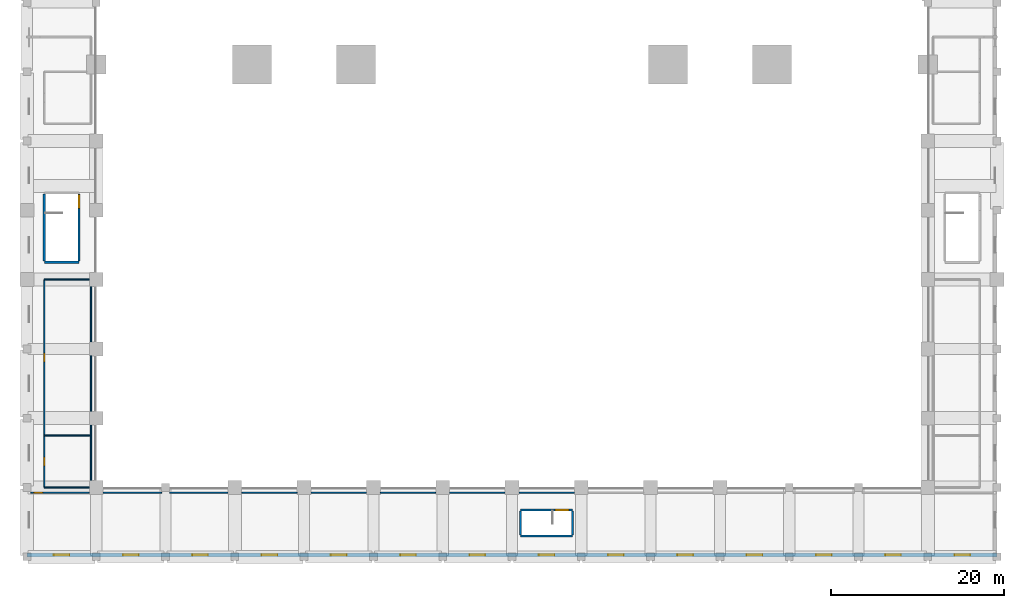
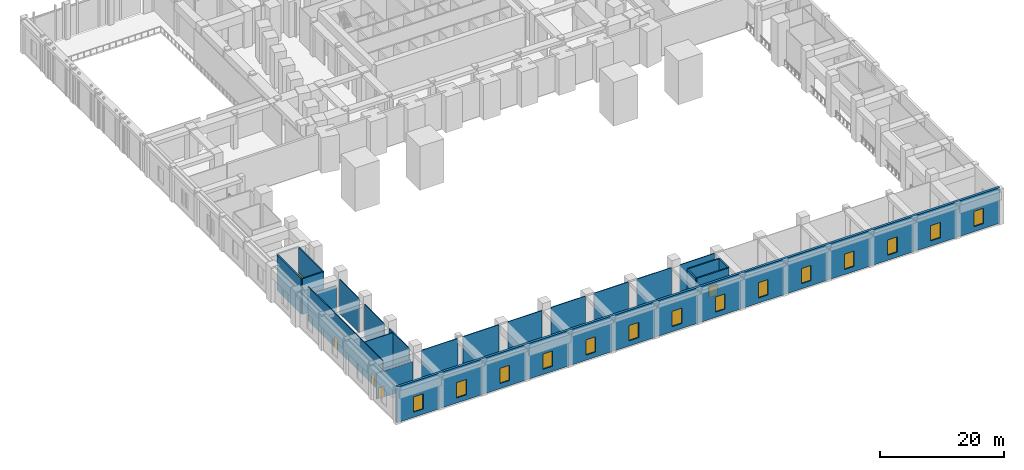
# One storey, part 5 of 18: 23 walls, 14 windows, 5 doors, 19 openings.
"""IFC4 building model written with IfcOpenShell, lengths in metres."""

from ifc_helpers import new_model, si_unit, direction, frame, frame_2d, origin, place, context, subcontext, project, spatial, rectangle, extrude, material, layer, layer_set, type_object, element, fill, save


model = new_model("IFC4")

# Units and contexts
model_context = context("Model", 3, precision=1e-05, world=origin(), true_north=direction((0.0, 1.0)))
body_context = subcontext(model_context, "Body", "Model", "MODEL_VIEW")
ifc_project = project(units=[si_unit("LENGTHUNIT", "METRE"), si_unit("AREAUNIT", "SQUARE_METRE"), si_unit("VOLUMEUNIT", "CUBIC_METRE"), si_unit("PLANEANGLEUNIT", "RADIAN"), si_unit("MASSUNIT", "GRAM", prefix="KILO")], contexts=[model_context])

# Site, building, storey
site_placement = place(None, origin())
site = spatial("IfcSite", under=ifc_project, at=site_placement, CompositionType="ELEMENT")
building_placement = place(site_placement, origin())
building = spatial("IfcBuilding", under=site, at=building_placement, Name="Isbrekke Arena Tower", CompositionType="ELEMENT")
storey_placement = place(building_placement, frame((0.0, 0.0, 12.0)))
storey = spatial("IfcBuildingStorey", under=building, at=storey_placement, Name="L02", CompositionType="ELEMENT", Elevation=12.0)

# Wall, openings, windows
ifc_material_1 = material(Name="Pale brick facing on concrete backing wall", Category="masonry")
ifc_layer_1 = layer(ifc_material_1, 0.449951171875)
ifc_layer_set_1 = layer_set([ifc_layer_1], Name="EW1 PODIUM BRICK WALL 450")
wall_type_1 = type_object("IfcWallType", Name="EW1 PODIUM BRICK WALL 450", PredefinedType="SOLIDWALL", material=ifc_layer_set_1)
wall_1_placement = place(storey_placement, frame((-56.0, -73.77490234375, 0.0), z_axis=(0.0, 0.0, 1.0), x_axis=(1.0, 0.0, 0.0)))
wall_1 = element("IfcWall", 1, at=wall_1_placement, inside=storey, type_object=wall_type_1, Name="EW1 podium wall S L02", PredefinedType="SOLIDWALL", context=body_context, shape_type="SweptSolid", body=[
    extrude(rectangle(XDim=112.0, YDim=0.449951171875, at=frame_2d((56.0, 0.0))), origin(), (0.0, 0.0, 1.0), 7.0),
])
opening_1_placement = place(wall_1_placement, frame((3.10009765625, 0.0, 1.0)))
opening_1 = element("IfcOpeningElement", 2, at=opening_1_placement, cuts=wall_1, Name="Opening WN2", PredefinedType="OPENING", context=body_context, shape_type="SweptSolid", body=[
    extrude(rectangle(XDim=1.800048828125, YDim=3.0, at=frame_2d((0.89990234375, 1.5))), frame((0.0, 0.23974609375, 0.0), z_axis=(0.0, -1.0, 0.0), x_axis=(1.0, 0.0, 0.0)), (0.0, 0.0, 1.0), 0.479736328125),
])
opening_2_placement = place(wall_1_placement, frame((11.10009765625, 0.0, 1.0)))
opening_2 = element("IfcOpeningElement", 3, at=opening_2_placement, cuts=wall_1, Name="Opening WN2", PredefinedType="OPENING", context=body_context, shape_type="SweptSolid", body=[
    extrude(rectangle(XDim=1.800048828125, YDim=3.0, at=frame_2d((0.89990234375, 1.5))), frame((0.0, 0.23974609375, 0.0), z_axis=(0.0, -1.0, 0.0), x_axis=(1.0, 0.0, 0.0)), (0.0, 0.0, 1.0), 0.479736328125),
])
opening_3_placement = place(wall_1_placement, frame((19.10009765625, 0.0, 1.0)))
opening_3 = element("IfcOpeningElement", 4, at=opening_3_placement, cuts=wall_1, Name="Opening WN2", PredefinedType="OPENING", context=body_context, shape_type="SweptSolid", body=[
    extrude(rectangle(XDim=1.800048828125, YDim=3.0, at=frame_2d((0.89990234375, 1.5))), frame((0.0, 0.23974609375, 0.0), z_axis=(0.0, -1.0, 0.0), x_axis=(1.0, 0.0, 0.0)), (0.0, 0.0, 1.0), 0.479736328125),
])
opening_4_placement = place(wall_1_placement, frame((27.10009765625, 0.0, 1.0)))
opening_4 = element("IfcOpeningElement", 5, at=opening_4_placement, cuts=wall_1, Name="Opening WN2", PredefinedType="OPENING", context=body_context, shape_type="SweptSolid", body=[
    extrude(rectangle(XDim=1.800048828125, YDim=3.0, at=frame_2d((0.89990234375, 1.5))), frame((0.0, 0.23974609375, 0.0), z_axis=(0.0, -1.0, 0.0), x_axis=(1.0, 0.0, 0.0)), (0.0, 0.0, 1.0), 0.479736328125),
])
opening_5_placement = place(wall_1_placement, frame((35.10009765625, 0.0, 1.0)))
opening_5 = element("IfcOpeningElement", 6, at=opening_5_placement, cuts=wall_1, Name="Opening WN2", PredefinedType="OPENING", context=body_context, shape_type="SweptSolid", body=[
    extrude(rectangle(XDim=1.800048828125, YDim=3.0, at=frame_2d((0.89990234375, 1.5))), frame((0.0, 0.23974609375, 0.0), z_axis=(0.0, -1.0, 0.0), x_axis=(1.0, 0.0, 0.0)), (0.0, 0.0, 1.0), 0.479736328125),
])
opening_6_placement = place(wall_1_placement, frame((43.10009765625, 0.0, 1.0)))
opening_6 = element("IfcOpeningElement", 7, at=opening_6_placement, cuts=wall_1, Name="Opening WN2", PredefinedType="OPENING", context=body_context, shape_type="SweptSolid", body=[
    extrude(rectangle(XDim=1.800048828125, YDim=3.0, at=frame_2d((0.89990234375, 1.5))), frame((0.0, 0.23974609375, 0.0), z_axis=(0.0, -1.0, 0.0), x_axis=(1.0, 0.0, 0.0)), (0.0, 0.0, 1.0), 0.479736328125),
])
opening_7_placement = place(wall_1_placement, frame((51.10009765625, 0.0, 1.0)))
opening_7 = element("IfcOpeningElement", 8, at=opening_7_placement, cuts=wall_1, Name="Opening WN2", PredefinedType="OPENING", context=body_context, shape_type="SweptSolid", body=[
    extrude(rectangle(XDim=1.800048828125, YDim=3.0, at=frame_2d((0.89990234375, 1.5))), frame((0.0, 0.23974609375, 0.0), z_axis=(0.0, -1.0, 0.0), x_axis=(1.0, 0.0, 0.0)), (0.0, 0.0, 1.0), 0.479736328125),
])
opening_8_placement = place(wall_1_placement, frame((59.10009765625, 0.0, 1.0)))
opening_8 = element("IfcOpeningElement", 9, at=opening_8_placement, cuts=wall_1, Name="Opening WN2", PredefinedType="OPENING", context=body_context, shape_type="SweptSolid", body=[
    extrude(rectangle(XDim=1.800048828125, YDim=3.0, at=frame_2d((0.89990234375, 1.5))), frame((0.0, 0.23974609375, 0.0), z_axis=(0.0, -1.0, 0.0), x_axis=(1.0, 0.0, 0.0)), (0.0, 0.0, 1.0), 0.479736328125),
])
opening_9_placement = place(wall_1_placement, frame((67.10009765625, 0.0, 1.0)))
opening_9 = element("IfcOpeningElement", 10, at=opening_9_placement, cuts=wall_1, Name="Opening WN2", PredefinedType="OPENING", context=body_context, shape_type="SweptSolid", body=[
    extrude(rectangle(XDim=1.800048828125, YDim=3.0, at=frame_2d((0.89990234375, 1.5))), frame((0.0, 0.23974609375, 0.0), z_axis=(0.0, -1.0, 0.0), x_axis=(1.0, 0.0, 0.0)), (0.0, 0.0, 1.0), 0.479736328125),
])
opening_10_placement = place(wall_1_placement, frame((75.10009765625, 0.0, 1.0)))
opening_10 = element("IfcOpeningElement", 11, at=opening_10_placement, cuts=wall_1, Name="Opening WN2", PredefinedType="OPENING", context=body_context, shape_type="SweptSolid", body=[
    extrude(rectangle(XDim=1.800048828125, YDim=3.0, at=frame_2d((0.89990234375, 1.5))), frame((0.0, 0.23974609375, 0.0), z_axis=(0.0, -1.0, 0.0), x_axis=(1.0, 0.0, 0.0)), (0.0, 0.0, 1.0), 0.479736328125),
])
opening_11_placement = place(wall_1_placement, frame((83.10009765625, 0.0, 1.0)))
opening_11 = element("IfcOpeningElement", 12, at=opening_11_placement, cuts=wall_1, Name="Opening WN2", PredefinedType="OPENING", context=body_context, shape_type="SweptSolid", body=[
    extrude(rectangle(XDim=1.800048828125, YDim=3.0, at=frame_2d((0.89990234375, 1.5))), frame((0.0, 0.23974609375, 0.0), z_axis=(0.0, -1.0, 0.0), x_axis=(1.0, 0.0, 0.0)), (0.0, 0.0, 1.0), 0.479736328125),
])
opening_12_placement = place(wall_1_placement, frame((91.10009765625, 0.0, 1.0)))
opening_12 = element("IfcOpeningElement", 13, at=opening_12_placement, cuts=wall_1, Name="Opening WN2", PredefinedType="OPENING", context=body_context, shape_type="SweptSolid", body=[
    extrude(rectangle(XDim=1.800048828125, YDim=3.0, at=frame_2d((0.89990234375, 1.5))), frame((0.0, 0.23974609375, 0.0), z_axis=(0.0, -1.0, 0.0), x_axis=(1.0, 0.0, 0.0)), (0.0, 0.0, 1.0), 0.479736328125),
])
opening_13_placement = place(wall_1_placement, frame((99.10009765625, 0.0, 1.0)))
opening_13 = element("IfcOpeningElement", 14, at=opening_13_placement, cuts=wall_1, Name="Opening WN2", PredefinedType="OPENING", context=body_context, shape_type="SweptSolid", body=[
    extrude(rectangle(XDim=1.800048828125, YDim=3.0, at=frame_2d((0.89990234375, 1.5))), frame((0.0, 0.23974609375, 0.0), z_axis=(0.0, -1.0, 0.0), x_axis=(1.0, 0.0, 0.0)), (0.0, 0.0, 1.0), 0.479736328125),
])
opening_14_placement = place(wall_1_placement, frame((107.10009765625, 0.0, 1.0)))
opening_14 = element("IfcOpeningElement", 15, at=opening_14_placement, cuts=wall_1, Name="Opening WN2", PredefinedType="OPENING", context=body_context, shape_type="SweptSolid", body=[
    extrude(rectangle(XDim=1.800048828125, YDim=3.0, at=frame_2d((0.89990234375, 1.5))), frame((0.0, 0.23974609375, 0.0), z_axis=(0.0, -1.0, 0.0), x_axis=(1.0, 0.0, 0.0)), (0.0, 0.0, 1.0), 0.479736328125),
])
ifc_material_2 = material(Name="Timber-aluminium window, triple glazed", Category="wood")
window_type = type_object("IfcWindowType", Name="WN2 PODIUM WINDOW 1800 x 3000", PartitioningType="SINGLE_PANEL", PredefinedType="WINDOW", material=ifc_material_2)
window_1_placement = place(opening_1_placement, origin())
window_1 = element("IfcWindow", 16, at=window_1_placement, inside=storey, type_object=window_type, Name="WN2 podium window S-1", OverallHeight=3.0, OverallWidth=1.800048828125, PartitioningType="SINGLE_PANEL", PredefinedType="WINDOW", context=body_context, shape_type="SweptSolid", body=[
    extrude(rectangle(XDim=1.800048828125, YDim=3.0, at=frame_2d((0.89990234375, 1.5))), frame((0.0, 0.030029296875, 0.0), z_axis=(0.0, -1.0, 0.0), x_axis=(1.0, 0.0, 0.0)), (0.0, 0.0, 1.0), 0.06005859375),
])
fill(opening_1, window_1)
window_2_placement = place(opening_2_placement, origin())
window_2 = element("IfcWindow", 17, at=window_2_placement, inside=storey, type_object=window_type, Name="WN2 podium window S-2", OverallHeight=3.0, OverallWidth=1.800048828125, PartitioningType="SINGLE_PANEL", PredefinedType="WINDOW", context=body_context, shape_type="SweptSolid", body=[
    extrude(rectangle(XDim=1.800048828125, YDim=3.0, at=frame_2d((0.89990234375, 1.5))), frame((0.0, 0.030029296875, 0.0), z_axis=(0.0, -1.0, 0.0), x_axis=(1.0, 0.0, 0.0)), (0.0, 0.0, 1.0), 0.06005859375),
])
fill(opening_2, window_2)
window_3_placement = place(opening_3_placement, origin())
window_3 = element("IfcWindow", 18, at=window_3_placement, inside=storey, type_object=window_type, Name="WN2 podium window S-3", OverallHeight=3.0, OverallWidth=1.800048828125, PartitioningType="SINGLE_PANEL", PredefinedType="WINDOW", context=body_context, shape_type="SweptSolid", body=[
    extrude(rectangle(XDim=1.800048828125, YDim=3.0, at=frame_2d((0.89990234375, 1.5))), frame((0.0, 0.030029296875, 0.0), z_axis=(0.0, -1.0, 0.0), x_axis=(1.0, 0.0, 0.0)), (0.0, 0.0, 1.0), 0.06005859375),
])
fill(opening_3, window_3)
window_4_placement = place(opening_4_placement, origin())
window_4 = element("IfcWindow", 19, at=window_4_placement, inside=storey, type_object=window_type, Name="WN2 podium window S-4", OverallHeight=3.0, OverallWidth=1.800048828125, PartitioningType="SINGLE_PANEL", PredefinedType="WINDOW", context=body_context, shape_type="SweptSolid", body=[
    extrude(rectangle(XDim=1.800048828125, YDim=3.0, at=frame_2d((0.89990234375, 1.5))), frame((0.0, 0.030029296875, 0.0), z_axis=(0.0, -1.0, 0.0), x_axis=(1.0, 0.0, 0.0)), (0.0, 0.0, 1.0), 0.06005859375),
])
fill(opening_4, window_4)
window_5_placement = place(opening_5_placement, origin())
window_5 = element("IfcWindow", 20, at=window_5_placement, inside=storey, type_object=window_type, Name="WN2 podium window S-5", OverallHeight=3.0, OverallWidth=1.800048828125, PartitioningType="SINGLE_PANEL", PredefinedType="WINDOW", context=body_context, shape_type="SweptSolid", body=[
    extrude(rectangle(XDim=1.800048828125, YDim=3.0, at=frame_2d((0.89990234375, 1.5))), frame((0.0, 0.030029296875, 0.0), z_axis=(0.0, -1.0, 0.0), x_axis=(1.0, 0.0, 0.0)), (0.0, 0.0, 1.0), 0.06005859375),
])
fill(opening_5, window_5)
window_6_placement = place(opening_6_placement, origin())
window_6 = element("IfcWindow", 21, at=window_6_placement, inside=storey, type_object=window_type, Name="WN2 podium window S-6", OverallHeight=3.0, OverallWidth=1.800048828125, PartitioningType="SINGLE_PANEL", PredefinedType="WINDOW", context=body_context, shape_type="SweptSolid", body=[
    extrude(rectangle(XDim=1.800048828125, YDim=3.0, at=frame_2d((0.89990234375, 1.5))), frame((0.0, 0.030029296875, 0.0), z_axis=(0.0, -1.0, 0.0), x_axis=(1.0, 0.0, 0.0)), (0.0, 0.0, 1.0), 0.06005859375),
])
fill(opening_6, window_6)
window_7_placement = place(opening_7_placement, origin())
window_7 = element("IfcWindow", 22, at=window_7_placement, inside=storey, type_object=window_type, Name="WN2 podium window S-7", OverallHeight=3.0, OverallWidth=1.800048828125, PartitioningType="SINGLE_PANEL", PredefinedType="WINDOW", context=body_context, shape_type="SweptSolid", body=[
    extrude(rectangle(XDim=1.800048828125, YDim=3.0, at=frame_2d((0.89990234375, 1.5))), frame((0.0, 0.030029296875, 0.0), z_axis=(0.0, -1.0, 0.0), x_axis=(1.0, 0.0, 0.0)), (0.0, 0.0, 1.0), 0.06005859375),
])
fill(opening_7, window_7)
window_8_placement = place(opening_8_placement, origin())
window_8 = element("IfcWindow", 23, at=window_8_placement, inside=storey, type_object=window_type, Name="WN2 podium window S-8", OverallHeight=3.0, OverallWidth=1.800048828125, PartitioningType="SINGLE_PANEL", PredefinedType="WINDOW", context=body_context, shape_type="SweptSolid", body=[
    extrude(rectangle(XDim=1.800048828125, YDim=3.0, at=frame_2d((0.89990234375, 1.5))), frame((0.0, 0.030029296875, 0.0), z_axis=(0.0, -1.0, 0.0), x_axis=(1.0, 0.0, 0.0)), (0.0, 0.0, 1.0), 0.06005859375),
])
fill(opening_8, window_8)
window_9_placement = place(opening_9_placement, origin())
window_9 = element("IfcWindow", 24, at=window_9_placement, inside=storey, type_object=window_type, Name="WN2 podium window S-9", OverallHeight=3.0, OverallWidth=1.800048828125, PartitioningType="SINGLE_PANEL", PredefinedType="WINDOW", context=body_context, shape_type="SweptSolid", body=[
    extrude(rectangle(XDim=1.800048828125, YDim=3.0, at=frame_2d((0.89990234375, 1.5))), frame((0.0, 0.030029296875, 0.0), z_axis=(0.0, -1.0, 0.0), x_axis=(1.0, 0.0, 0.0)), (0.0, 0.0, 1.0), 0.06005859375),
])
fill(opening_9, window_9)
window_10_placement = place(opening_10_placement, origin())
window_10 = element("IfcWindow", 25, at=window_10_placement, inside=storey, type_object=window_type, Name="WN2 podium window S-10", OverallHeight=3.0, OverallWidth=1.800048828125, PartitioningType="SINGLE_PANEL", PredefinedType="WINDOW", context=body_context, shape_type="SweptSolid", body=[
    extrude(rectangle(XDim=1.800048828125, YDim=3.0, at=frame_2d((0.89990234375, 1.5))), frame((0.0, 0.030029296875, 0.0), z_axis=(0.0, -1.0, 0.0), x_axis=(1.0, 0.0, 0.0)), (0.0, 0.0, 1.0), 0.06005859375),
])
fill(opening_10, window_10)
window_11_placement = place(opening_11_placement, origin())
window_11 = element("IfcWindow", 26, at=window_11_placement, inside=storey, type_object=window_type, Name="WN2 podium window S-11", OverallHeight=3.0, OverallWidth=1.800048828125, PartitioningType="SINGLE_PANEL", PredefinedType="WINDOW", context=body_context, shape_type="SweptSolid", body=[
    extrude(rectangle(XDim=1.800048828125, YDim=3.0, at=frame_2d((0.89990234375, 1.5))), frame((0.0, 0.030029296875, 0.0), z_axis=(0.0, -1.0, 0.0), x_axis=(1.0, 0.0, 0.0)), (0.0, 0.0, 1.0), 0.06005859375),
])
fill(opening_11, window_11)
window_12_placement = place(opening_12_placement, origin())
window_12 = element("IfcWindow", 27, at=window_12_placement, inside=storey, type_object=window_type, Name="WN2 podium window S-12", OverallHeight=3.0, OverallWidth=1.800048828125, PartitioningType="SINGLE_PANEL", PredefinedType="WINDOW", context=body_context, shape_type="SweptSolid", body=[
    extrude(rectangle(XDim=1.800048828125, YDim=3.0, at=frame_2d((0.89990234375, 1.5))), frame((0.0, 0.030029296875, 0.0), z_axis=(0.0, -1.0, 0.0), x_axis=(1.0, 0.0, 0.0)), (0.0, 0.0, 1.0), 0.06005859375),
])
fill(opening_12, window_12)
window_13_placement = place(opening_13_placement, origin())
window_13 = element("IfcWindow", 28, at=window_13_placement, inside=storey, type_object=window_type, Name="WN2 podium window S-13", OverallHeight=3.0, OverallWidth=1.800048828125, PartitioningType="SINGLE_PANEL", PredefinedType="WINDOW", context=body_context, shape_type="SweptSolid", body=[
    extrude(rectangle(XDim=1.800048828125, YDim=3.0, at=frame_2d((0.89990234375, 1.5))), frame((0.0, 0.030029296875, 0.0), z_axis=(0.0, -1.0, 0.0), x_axis=(1.0, 0.0, 0.0)), (0.0, 0.0, 1.0), 0.06005859375),
])
fill(opening_13, window_13)
window_14_placement = place(opening_14_placement, origin())
window_14 = element("IfcWindow", 29, at=window_14_placement, inside=storey, type_object=window_type, Name="WN2 podium window S-14", OverallHeight=3.0, OverallWidth=1.800048828125, PartitioningType="SINGLE_PANEL", PredefinedType="WINDOW", context=body_context, shape_type="SweptSolid", body=[
    extrude(rectangle(XDim=1.800048828125, YDim=3.0, at=frame_2d((0.89990234375, 1.5))), frame((0.0, 0.030029296875, 0.0), z_axis=(0.0, -1.0, 0.0), x_axis=(1.0, 0.0, 0.0)), (0.0, 0.0, 1.0), 0.06005859375),
])
fill(opening_14, window_14)

# Wall, openings, doors
ifc_material_3 = material(Name="Gypsum board partition on steel studs", Category="steel")
ifc_layer_2 = layer(ifc_material_3, 0.14990234375)
ifc_layer_set_2 = layer_set([ifc_layer_2], Name="IW1 PARTITION 150")
wall_type_2 = type_object("IfcWallType", Name="IW1 PARTITION 150", PredefinedType="PARTITIONING", material=ifc_layer_set_2)
wall_2_placement = place(storey_placement, frame((-54.0, -66.0, 0.0), z_axis=(0.0, 0.0, 1.0), x_axis=(0.0, 1.0, 0.0)))
wall_2 = element("IfcWall", 30, at=wall_2_placement, inside=storey, type_object=wall_type_2, Name="IW1 partition L02", PredefinedType="PARTITIONING", context=body_context, shape_type="SweptSolid", body=[
    extrude(rectangle(XDim=24.0, YDim=0.14990234375, at=frame_2d((12.0, 0.0))), origin(), (0.0, 0.0, 1.0), 6.699951171875),
])
opening_15_placement = place(wall_2_placement, frame((2.5, 0.0, 0.0)))
opening_15 = element("IfcOpeningElement", 31, at=opening_15_placement, cuts=wall_2, Name="Opening D6", PredefinedType="OPENING", context=body_context, shape_type="SweptSolid", body=[
    extrude(rectangle(XDim=1.0, YDim=2.10009765625, at=frame_2d((0.5, 1.050048828125))), frame((0.0, 0.08984375, 0.0), z_axis=(0.0, -1.0, 0.0), x_axis=(1.0, 0.0, 0.0)), (0.0, 0.0, 1.0), 0.1796875),
])
opening_16_placement = place(wall_2_placement, frame((14.5, 0.0, 0.0)))
opening_16 = element("IfcOpeningElement", 32, at=opening_16_placement, cuts=wall_2, Name="Opening D6", PredefinedType="OPENING", context=body_context, shape_type="SweptSolid", body=[
    extrude(rectangle(XDim=1.0, YDim=2.10009765625, at=frame_2d((0.5, 1.050048828125))), frame((0.0, 0.08984375, 0.0), z_axis=(0.0, -1.0, 0.0), x_axis=(1.0, 0.0, 0.0)), (0.0, 0.0, 1.0), 0.1796875),
])
ifc_material_4 = material(Name="Timber door", Category="wood")
door_type_1 = type_object("IfcDoorType", Name="D6 ROOM DOOR 1000 x 2100", OperationType="SINGLE_SWING_LEFT", PredefinedType="DOOR", material=ifc_material_4)
door_1_placement = place(opening_15_placement, origin())
door_1 = element("IfcDoor", 33, at=door_1_placement, inside=storey, type_object=door_type_1, Name="D6 door L02-11", OperationType="SINGLE_SWING_LEFT", OverallHeight=2.10009765625, OverallWidth=1.0, PredefinedType="DOOR", context=body_context, shape_type="SweptSolid", body=[
    extrude(rectangle(XDim=1.0, YDim=2.10009765625, at=frame_2d((0.5, 1.050048828125))), frame((0.0, 0.07470703125, 0.0), z_axis=(0.0, -1.0, 0.0), x_axis=(1.0, 0.0, 0.0)), (0.0, 0.0, 1.0), 0.1494140625),
])
fill(opening_15, door_1)
door_2_placement = place(opening_16_placement, origin())
door_2 = element("IfcDoor", 34, at=door_2_placement, inside=storey, type_object=door_type_1, Name="D6 door L02-03", OperationType="SINGLE_SWING_LEFT", OverallHeight=2.10009765625, OverallWidth=1.0, PredefinedType="DOOR", context=body_context, shape_type="SweptSolid", body=[
    extrude(rectangle(XDim=1.0, YDim=2.10009765625, at=frame_2d((0.5, 1.050048828125))), frame((0.0, 0.07470703125, 0.0), z_axis=(0.0, -1.0, 0.0), x_axis=(1.0, 0.0, 0.0)), (0.0, 0.0, 1.0), 0.1494140625),
])
fill(opening_16, door_2)

# Walls
for number, where, z_axis, x_axis, name in (
    (35, (-48.60009765625, -65.18994140625, 0.0), (0.0, 0.0, 1.0), (0.0, 1.0, 0.0), "IW1 partition L02"),
    (36, (-48.60009765625, -57.18994140625, 0.0), (0.0, 0.0, 1.0), (0.0, 1.0, 0.0), "IW1 partition L02"),
    (37, (-48.60009765625, -49.18994140625, 0.0), (0.0, 0.0, 1.0), (0.0, 1.0, 0.0), "IW1 partition L02"),
):
    element("IfcWall", number, at=place(storey_placement, frame(where, z_axis=z_axis, x_axis=x_axis)), inside=storey, type_object=wall_type_2, Name=name, PredefinedType="PARTITIONING", context=body_context, shape_type="SweptSolid", body=[
        extrude(rectangle(XDim=6.3798828125, YDim=0.14990234375, at=frame_2d((3.18994140625, 0.0))), origin(), (0.0, 0.0, 1.0), 6.699951171875),
    ])

# Wall, opening, door
wall_3_placement = place(storey_placement, frame((-55.5400390625, -66.60009765625, 0.0), z_axis=(0.0, 0.0, 1.0), x_axis=(1.0, 0.0, 0.0)))
wall_3 = element("IfcWall", 38, at=wall_3_placement, inside=storey, type_object=wall_type_2, Name="IW1 partition L02", PredefinedType="PARTITIONING", context=body_context, shape_type="SweptSolid", body=[
    extrude(rectangle(XDim=6.72998046875, YDim=0.14990234375, at=frame_2d((3.364990234375, 0.0))), origin(), (0.0, 0.0, 1.0), 5.09912109375),
])
opening_17_placement = place(wall_3_placement, frame((0.340087890625, 0.0, 0.0)))
opening_17 = element("IfcOpeningElement", 39, at=opening_17_placement, cuts=wall_3, Name="Opening D6", PredefinedType="OPENING", context=body_context, shape_type="SweptSolid", body=[
    extrude(rectangle(XDim=1.0, YDim=2.10009765625, at=frame_2d((0.5, 1.050048828125))), frame((0.0, 0.08984375, 0.0), z_axis=(0.0, -1.0, 0.0), x_axis=(1.0, 0.0, 0.0)), (0.0, 0.0, 1.0), 0.1796875),
])
door_3_placement = place(opening_17_placement, origin())
door_3 = element("IfcDoor", 40, at=door_3_placement, inside=storey, type_object=door_type_1, Name="D6 door L02-01", OperationType="SINGLE_SWING_LEFT", OverallHeight=2.10009765625, OverallWidth=1.0, PredefinedType="DOOR", context=body_context, shape_type="SweptSolid", body=[
    extrude(rectangle(XDim=1.0, YDim=2.10009765625, at=frame_2d((0.5, 1.050048828125))), frame((0.0, 0.07470703125, 0.0), z_axis=(0.0, -1.0, 0.0), x_axis=(1.0, 0.0, 0.0)), (0.0, 0.0, 1.0), 0.1494140625),
])
fill(opening_17, door_3)

# Walls
for number, where, z_axis, x_axis, name in (
    (41, (-47.18994140625, -66.60009765625, 0.0), (0.0, 0.0, 1.0), (1.0, 0.0, 0.0), "IW1 partition L02"),
    (42, (-39.5400390625, -66.60009765625, 0.0), (0.0, 0.0, 1.0), (1.0, 0.0, 0.0), "IW1 partition L02"),
):
    element("IfcWall", number, at=place(storey_placement, frame(where, z_axis=z_axis, x_axis=x_axis)), inside=storey, type_object=wall_type_2, Name=name, PredefinedType="PARTITIONING", context=body_context, shape_type="SweptSolid", body=[
        extrude(rectangle(XDim=6.72998046875, YDim=0.14990234375, at=frame_2d((3.364990234375, 0.0))), origin(), (0.0, 0.0, 1.0), 6.699951171875),
    ])
for number, where, z_axis, x_axis, name in (
    (43, (-31.18994140625, -66.60009765625, 0.0), (0.0, 0.0, 1.0), (1.0, 0.0, 0.0), "IW1 partition L02"),
    (44, (-23.18994140625, -66.60009765625, 0.0), (0.0, 0.0, 1.0), (1.0, 0.0, 0.0), "IW1 partition L02"),
    (45, (-15.18994140625, -66.60009765625, 0.0), (0.0, 0.0, 1.0), (1.0, 0.0, 0.0), "IW1 partition L02"),
    (46, (-7.18994140625, -66.60009765625, 0.0), (0.0, 0.0, 1.0), (1.0, 0.0, 0.0), "IW1 partition L02"),
    (47, (0.81005859375, -66.60009765625, 0.0), (0.0, 0.0, 1.0), (1.0, 0.0, 0.0), "IW1 partition L02"),
):
    element("IfcWall", number, at=place(storey_placement, frame(where, z_axis=z_axis, x_axis=x_axis)), inside=storey, type_object=wall_type_2, Name=name, PredefinedType="PARTITIONING", context=body_context, shape_type="SweptSolid", body=[
        extrude(rectangle(XDim=6.3798828125, YDim=0.14990234375, at=frame_2d((3.18994140625, 0.0))), origin(), (0.0, 0.0, 1.0), 6.699951171875),
    ])
wall_4_placement = place(storey_placement, frame((-54.0, -66.0, 0.0), z_axis=(0.0, 0.0, 1.0), x_axis=(1.0, 0.0, 0.0)))
element("IfcWall", 48, at=wall_4_placement, inside=storey, type_object=wall_type_2, Name="IW1 partition L02", PredefinedType="PARTITIONING", context=body_context, shape_type="SweptSolid", body=[
    extrude(rectangle(XDim=5.18994140625, YDim=0.14990234375, at=frame_2d((2.594970703125, 0.0))), origin(), (0.0, 0.0, 1.0), 5.09912109375),
])
wall_5_placement = place(storey_placement, frame((-54.0, -60.0, 0.0), z_axis=(0.0, 0.0, 1.0), x_axis=(1.0, 0.0, 0.0)))
element("IfcWall", 49, at=wall_5_placement, inside=storey, type_object=wall_type_2, Name="IW1 partition L02", PredefinedType="PARTITIONING", context=body_context, shape_type="SweptSolid", body=[
    extrude(rectangle(XDim=5.39990234375, YDim=0.14990234375, at=frame_2d((2.699951171875, 0.0))), origin(), (0.0, 0.0, 1.0), 6.699951171875),
])
wall_6_placement = place(storey_placement, frame((-54.0, -42.0, 0.0), z_axis=(0.0, 0.0, 1.0), x_axis=(1.0, 0.0, 0.0)))
element("IfcWall", 50, at=wall_6_placement, inside=storey, type_object=wall_type_2, Name="IW1 partition L02", PredefinedType="PARTITIONING", context=body_context, shape_type="SweptSolid", body=[
    extrude(rectangle(XDim=5.18994140625, YDim=0.14990234375, at=frame_2d((2.594970703125, 0.0))), origin(), (0.0, 0.0, 1.0), 5.09912109375),
])
ifc_material_5 = material(Name="Concrete B45 (C45/55)", Category="concrete")
ifc_layer_3 = layer(ifc_material_5, 0.25)
ifc_layer_set_3 = layer_set([ifc_layer_3], Name="SW1 STAIR ENCLOSURE WALL 250")
wall_type_3 = type_object("IfcWallType", Name="SW1 STAIR ENCLOSURE WALL 250", PredefinedType="SOLIDWALL", material=ifc_layer_set_3)
wall_7_placement = place(storey_placement, frame((-54.0, -40.0, 0.0), z_axis=(0.0, 0.0, 1.0), x_axis=(1.0, 0.0, 0.0)))
element("IfcWall", 51, at=wall_7_placement, inside=storey, type_object=wall_type_3, Name="SW1 stair wall P4 S L02", PredefinedType="SOLIDWALL", context=body_context, shape_type="SweptSolid", body=[
    extrude(rectangle(XDim=4.0, YDim=0.25, at=frame_2d((2.0, 0.0))), origin(), (0.0, 0.0, 1.0), 7.0),
])

# Wall, opening, door
wall_8_placement = place(storey_placement, frame((-50.0, -39.875, 0.0), z_axis=(0.0, 0.0, 1.0), x_axis=(0.0, 1.0, 0.0)))
wall_8 = element("IfcWall", 52, at=wall_8_placement, inside=storey, type_object=wall_type_3, Name="SW1 stair wall P4 E L02", PredefinedType="SOLIDWALL", context=body_context, shape_type="SweptSolid", body=[
    extrude(rectangle(XDim=7.75, YDim=0.25, at=frame_2d((3.875, 0.0))), origin(), (0.0, 0.0, 1.0), 7.0),
])
opening_18_placement = place(wall_8_placement, frame((6.10009765625, 0.0, 0.0)))
opening_18 = element("IfcOpeningElement", 53, at=opening_18_placement, cuts=wall_8, Name="Opening D7", PredefinedType="OPENING", context=body_context, shape_type="SweptSolid", body=[
    extrude(rectangle(XDim=1.60009765625, YDim=2.10009765625, at=frame_2d((0.800048828125, 1.050048828125))), frame((0.0, 0.139892578125, 0.0), z_axis=(0.0, -1.0, 0.0), x_axis=(1.0, 0.0, 0.0)), (0.0, 0.0, 1.0), 0.27978515625),
])
ifc_material_6 = material(Name="Steel fire door", Category="steel")
door_type_2 = type_object("IfcDoorType", Name="D7 PODIUM STAIR DOOR 1600 x 2100", OperationType="DOUBLE_DOOR_SINGLE_SWING", PredefinedType="DOOR", material=ifc_material_6)
door_4_placement = place(opening_18_placement, origin())
door_4 = element("IfcDoor", 54, at=door_4_placement, inside=storey, type_object=door_type_2, Name="D7 stair door P4 L02", OperationType="DOUBLE_DOOR_SINGLE_SWING", OverallHeight=2.10009765625, OverallWidth=1.60009765625, PredefinedType="DOOR", context=body_context, shape_type="SweptSolid", body=[
    extrude(rectangle(XDim=1.60009765625, YDim=2.10009765625, at=frame_2d((0.800048828125, 1.050048828125))), frame((0.0, 0.124755859375, 0.0), z_axis=(0.0, -1.0, 0.0), x_axis=(1.0, 0.0, 0.0)), (0.0, 0.0, 1.0), 0.24951171875),
])
fill(opening_18, door_4)

# Walls
wall_9_placement = place(storey_placement, frame((-54.0, -32.125, 0.0), z_axis=(0.0, 0.0, 1.0), x_axis=(0.0, -1.0, 0.0)))
element("IfcWall", 55, at=wall_9_placement, inside=storey, type_object=wall_type_3, Name="SW1 stair wall P4 W L02", PredefinedType="SOLIDWALL", context=body_context, shape_type="SweptSolid", body=[
    extrude(rectangle(XDim=7.75, YDim=0.25, at=frame_2d((3.875, 0.0))), origin(), (0.0, 0.0, 1.0), 7.0),
])
wall_10_placement = place(storey_placement, frame((1.0, -71.60009765625, 0.0), z_axis=(0.0, 0.0, 1.0), x_axis=(1.0, 0.0, 0.0)))
element("IfcWall", 56, at=wall_10_placement, inside=storey, type_object=wall_type_3, Name="SW1 stair wall P5 S L02", PredefinedType="SOLIDWALL", context=body_context, shape_type="SweptSolid", body=[
    extrude(rectangle(XDim=6.0, YDim=0.25, at=frame_2d((3.0, 0.0))), origin(), (0.0, 0.0, 1.0), 7.0),
])

# Wall, opening, door
wall_11_placement = place(storey_placement, frame((7.0, -68.60009765625, 0.0), z_axis=(0.0, 0.0, 1.0), x_axis=(-1.0, 0.0, 0.0)))
wall_11 = element("IfcWall", 57, at=wall_11_placement, inside=storey, type_object=wall_type_3, Name="SW1 stair wall P5 N L02", PredefinedType="SOLIDWALL", context=body_context, shape_type="SweptSolid", body=[
    extrude(rectangle(XDim=6.0, YDim=0.25, at=frame_2d((3.0, 0.0))), origin(), (0.0, 0.0, 1.0), 7.0),
])
opening_19_placement = place(wall_11_placement, frame((0.425048828125, 0.0, 0.0)))
opening_19 = element("IfcOpeningElement", 58, at=opening_19_placement, cuts=wall_11, Name="Opening D7", PredefinedType="OPENING", context=body_context, shape_type="SweptSolid", body=[
    extrude(rectangle(XDim=1.60009765625, YDim=2.10009765625, at=frame_2d((0.800048828125, 1.050048828125))), frame((0.0, 0.139892578125, 0.0), z_axis=(0.0, -1.0, 0.0), x_axis=(1.0, 0.0, 0.0)), (0.0, 0.0, 1.0), 0.27978515625),
])
door_5_placement = place(opening_19_placement, origin())
door_5 = element("IfcDoor", 59, at=door_5_placement, inside=storey, type_object=door_type_2, Name="D7 stair door P5 L02", OperationType="DOUBLE_DOOR_SINGLE_SWING", OverallHeight=2.10009765625, OverallWidth=1.60009765625, PredefinedType="DOOR", context=body_context, shape_type="SweptSolid", body=[
    extrude(rectangle(XDim=1.60009765625, YDim=2.10009765625, at=frame_2d((0.800048828125, 1.050048828125))), frame((0.0, 0.124755859375, 0.0), z_axis=(0.0, -1.0, 0.0), x_axis=(1.0, 0.0, 0.0)), (0.0, 0.0, 1.0), 0.24951171875),
])
fill(opening_19, door_5)

# Walls
for number, where, z_axis, x_axis, name in (
    (60, (7.0, -71.47509765625, 0.0), (0.0, 0.0, 1.0), (0.0, 1.0, 0.0), "SW1 stair wall P5 E L02"),
    (61, (1.0, -68.72509765625, 0.0), (0.0, 0.0, 1.0), (0.0, -1.0, 0.0), "SW1 stair wall P5 W L02"),
):
    element("IfcWall", number, at=place(storey_placement, frame(where, z_axis=z_axis, x_axis=x_axis)), inside=storey, type_object=wall_type_3, Name=name, PredefinedType="SOLIDWALL", context=body_context, shape_type="SweptSolid", body=[
        extrude(rectangle(XDim=2.75, YDim=0.25, at=frame_2d((1.375, 0.0))), origin(), (0.0, 0.0, 1.0), 7.0),
    ])

save(model, "model.ifc")
